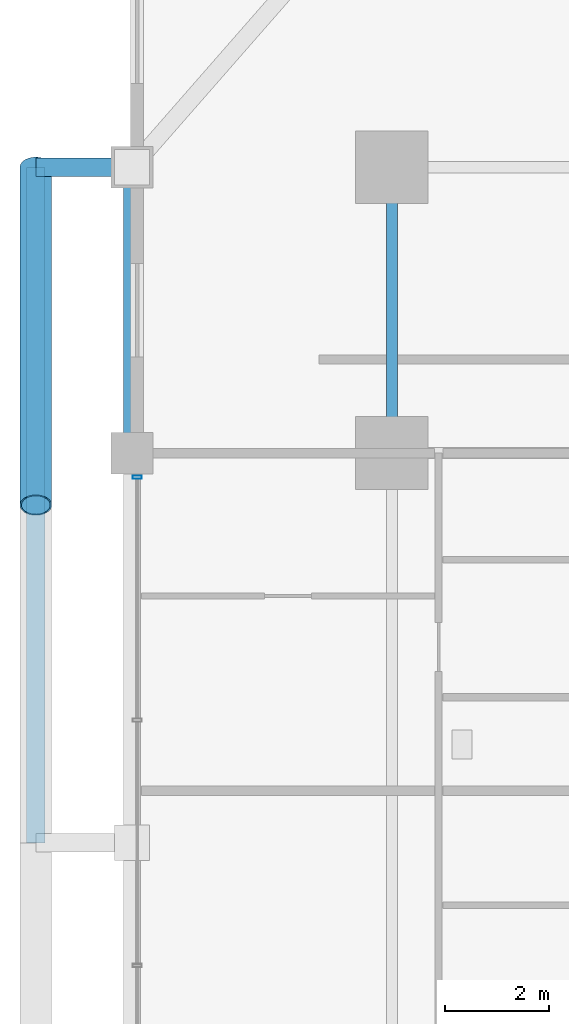
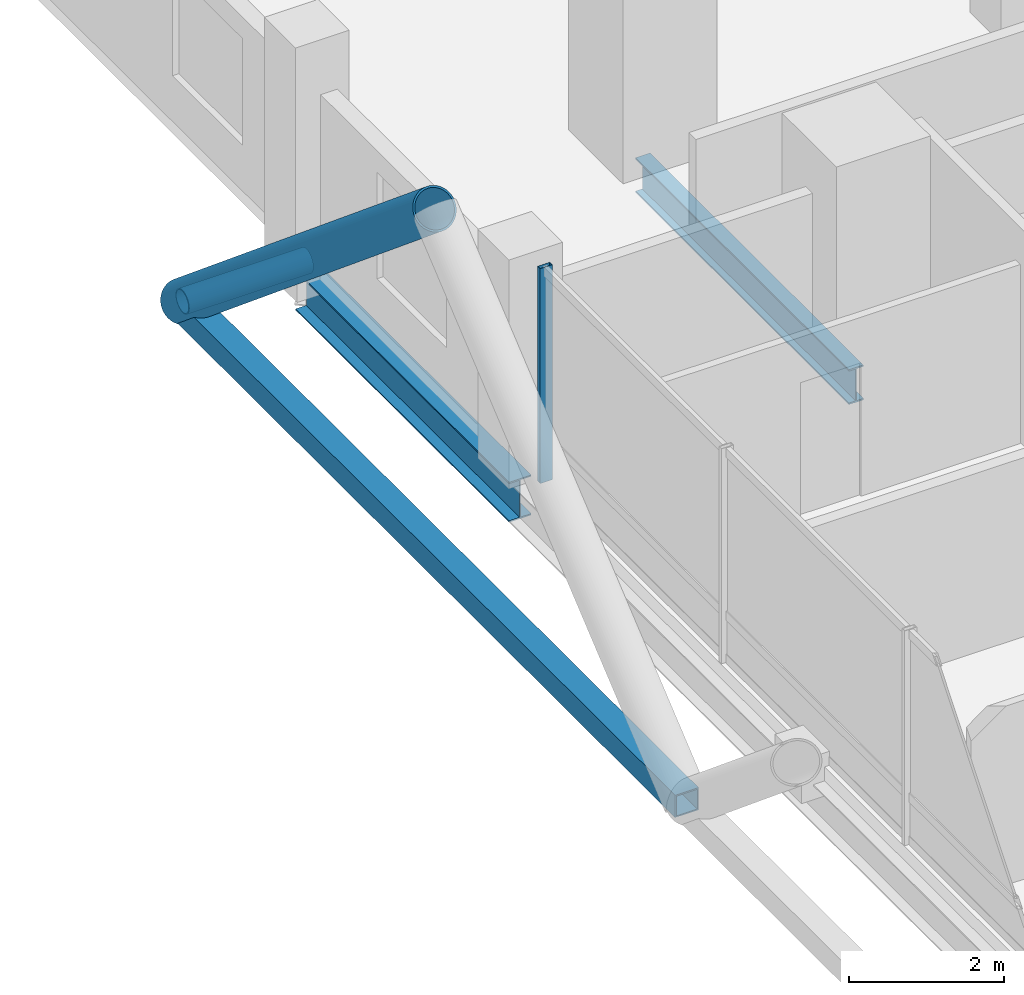
# One storey, part 13 of 27: 4 members, 2 beams, 1 element without a shape of its own.
"""IFC4 building model written with IfcOpenShell, lengths in metres."""

from ifc_helpers import new_model, si_unit, direction, frame, origin, origin_2d, place, context, subcontext, project, spatial, hollow_rectangle, hollow_circle, i_section, extrude, material, layer, layer_set, material_profile, profile_set, type_object, element, aggregate, save


model = new_model("IFC4")

# Units and contexts
model_context = context("Model", 3, precision=1e-05, world=origin(), true_north=direction((0.0, 1.0)))
body_context = subcontext(model_context, "Body", "Model", "MODEL_VIEW")
ifc_project = project(units=[si_unit("LENGTHUNIT", "METRE"), si_unit("AREAUNIT", "SQUARE_METRE"), si_unit("VOLUMEUNIT", "CUBIC_METRE"), si_unit("PLANEANGLEUNIT", "RADIAN"), si_unit("MASSUNIT", "GRAM", prefix="KILO")], contexts=[model_context])

# Site, building, storey
site_placement = place(None, origin())
site = spatial("IfcSite", under=ifc_project, at=site_placement, CompositionType="ELEMENT")
building_placement = place(site_placement, origin())
building = spatial("IfcBuilding", under=site, at=building_placement, Name="Barlavira Tower and Art Museum", CompositionType="ELEMENT")
storey_placement = place(building_placement, frame((0.0, 0.0, 50.39990234375)))
storey = spatial("IfcBuildingStorey", under=building, at=storey_placement, Name="L11", CompositionType="ELEMENT", Elevation=50.39990234375)

# Curtain wall, member
ifc_material_1 = material(Name="Low-iron coastal laminated glass", Category="glass")
ifc_layer = layer(ifc_material_1, 0.179931640625, Name="Low-iron coastal laminated glass")
ifc_layer_set = layer_set([ifc_layer], Name="Low-iron coastal laminated glass")
curtain_wall_type = type_object("IfcCurtainWallType", Name="Pale-Metal Unitised Curtain Wall Zone 1", PredefinedType="NOTDEFINED", material=ifc_layer_set)
curtain_wall_placement = place(storey_placement, origin())
curtain_wall = element("IfcCurtainWall", 1, at=curtain_wall_placement, inside=storey, type_object=curtain_wall_type, Name="L11 Curtain Wall CW1-L11-W-B3", PredefinedType="NOTDEFINED")
ifc_material_2 = material(Name="Pale anodised aluminium", Category="aluminium")
ifc_material_profile_1 = material_profile(ifc_material_2, hollow_rectangle(XDim=0.06494140625, YDim=0.179931640625, WallThickness=0.00390625, at=origin_2d()), Name="ALU-MULL 65x180x4")
ifc_profile_set_1 = profile_set([ifc_material_profile_1], Name="Pale anodised aluminium")
member_type_1 = type_object("IfcMemberType", Name="Curtain Wall Pale-Metal Mullion 65x180", PredefinedType="MULLION", material=ifc_profile_set_1)
member_1_placement = place(storey_placement, frame((-21.89990234375, 7.034912109375, 0.0), z_axis=(0.0, 0.0, 1.0), x_axis=(0.0, -1.0, 0.0)))
member_1 = element("IfcMember", 2, at=member_1_placement, type_object=member_type_1, Name="CW1-L11-W-B3 Mullion 0", PredefinedType="MULLION", context=body_context, shape_type="SweptSolid", body=[
    extrude(hollow_rectangle(XDim=0.06494140625, YDim=0.179931640625, WallThickness=0.00390625, at=origin_2d()), origin(), (0.0, 0.0, 1.0), 3.380126953125),
])
aggregate(curtain_wall, [member_1])

# Members
ifc_material_3 = material(Name="Steel S355", Category="steel")
ifc_material_profile_2 = material_profile(ifc_material_3, hollow_circle(Radius=0.304931640625, WallThickness=0.028076171875, at=origin_2d()), Name="CHS 610.0x28.0")
ifc_profile_set_2 = profile_set([ifc_material_profile_2], Name="Steel S355")
member_type_2 = type_object("IfcMemberType", Name="Pale-Metal Exoskeleton Diagrid Tube CHS 610x28 Steel S355", PredefinedType="BRACE", material=ifc_profile_set_2)
member_2_placement = place(storey_placement, frame((-23.85009765625, 13.0, -0.119873046875), z_axis=(0.0, -0.769196053329, 0.639012857104), x_axis=(1.0, 0.0, 0.0)))
element("IfcMember", 3, at=member_2_placement, inside=storey, type_object=member_type_2, Name="L11 Exoskeleton Diagrid Tube W", PredefinedType="BRACE", context=body_context, shape_type="SweptSolid", body=[
    extrude(hollow_circle(Radius=0.304931640625, WallThickness=0.028076171875, at=origin_2d()), origin(), (0.0, 0.0, 1.0), 8.450439453125),
])
ifc_material_profile_3 = material_profile(ifc_material_3, hollow_rectangle(XDim=0.35009765625, YDim=0.35009765625, WallThickness=0.02001953125, at=origin_2d()), Name="SHS 350x350x20.0")
ifc_profile_set_3 = profile_set([ifc_material_profile_3], Name="Steel S355")
member_type_3 = type_object("IfcMemberType", Name="Pale-Metal Exoskeleton Ring Strut SHS 350x350x20 Steel S355", PredefinedType="STRUT", material=ifc_profile_set_3)
member_3_placement = place(storey_placement, frame((-23.85009765625, 0.0, -0.119873046875), z_axis=(0.0, 1.0, 0.0), x_axis=(-1.0, 0.0, 0.0)))
element("IfcMember", 4, at=member_3_placement, inside=storey, type_object=member_type_3, Name="L11 Exoskeleton Ring Strut W", PredefinedType="STRUT", context=body_context, shape_type="SweptSolid", body=[
    extrude(hollow_rectangle(XDim=0.35009765625, YDim=0.35009765625, WallThickness=0.02001953125, at=origin_2d()), origin(), (0.0, 0.0, 1.0), 13.0),
])
ifc_material_profile_4 = material_profile(ifc_material_3, hollow_circle(Radius=0.177734375, WallThickness=0.01611328125, at=origin_2d()), Name="CHS 355.6x16.0")
ifc_profile_set_4 = profile_set([ifc_material_profile_4], Name="Steel S355")
member_type_4 = type_object("IfcMemberType", Name="Pale-Metal Exoskeleton Tie Strut CHS 356x16 Steel S355", PredefinedType="STRUT", material=ifc_profile_set_4)
member_4_placement = place(storey_placement, frame((-23.85009765625, 13.0, -0.119873046875), z_axis=(1.0, 0.0, 0.0), x_axis=(0.0, 1.0, 0.0)))
element("IfcMember", 5, at=member_4_placement, inside=storey, type_object=member_type_4, Name="L11 Exoskeleton Tie Strut W3", PredefinedType="STRUT", context=body_context, shape_type="SweptSolid", body=[
    extrude(hollow_circle(Radius=0.177734375, WallThickness=0.01611328125, at=origin_2d()), origin(), (0.0, 0.0, 1.0), 1.85009765625),
])

# Beams
ifc_material_profile_5 = material_profile(ifc_material_3, i_section(OverallWidth=0.327880859375, OverallDepth=0.62890625, WebThickness=0.013916015625, FlangeThickness=0.021484375, at=origin_2d()), Name="W610x174.0")
ifc_profile_set_5 = profile_set([ifc_material_profile_5], Name="Steel S355")
beam_type_1 = type_object("IfcBeamType", Name="Perimeter Spandrel Edge Beam W610x174 Steel S355", PredefinedType="SPANDREL", material=ifc_profile_set_5)
beam_1_placement = place(storey_placement, frame((-22.0, 7.5, -0.534423828125), z_axis=(0.0, 1.0, 0.0), x_axis=(-1.0, 0.0, 0.0)))
element("IfcBeam", 6, at=beam_1_placement, inside=storey, type_object=beam_type_1, Name="L11 Spandrel 13", PredefinedType="SPANDREL", context=body_context, shape_type="SweptSolid", body=[
    extrude(i_section(OverallWidth=0.327880859375, OverallDepth=0.62890625, WebThickness=0.013916015625, FlangeThickness=0.021484375, at=origin_2d()), origin(), (0.0, 0.0, 1.0), 5.5),
])
ifc_material_profile_6 = material_profile(ifc_material_3, i_section(OverallWidth=0.214111328125, OverallDepth=0.549072265625, WebThickness=0.0146484375, FlangeThickness=0.023681640625, at=origin_2d()), Name="W530x138.0")
ifc_profile_set_6 = profile_set([ifc_material_profile_6], Name="Steel S355")
beam_type_2 = type_object("IfcBeamType", Name="Zone 1 Primary Floor Girder W530x138 Steel S355", PredefinedType="BEAM", material=ifc_profile_set_6)
beam_2_placement = place(storey_placement, frame((-17.0, 7.5, -0.494384765625), z_axis=(0.0, 1.0, 0.0), x_axis=(-1.0, 0.0, 0.0)))
element("IfcBeam", 7, at=beam_2_placement, inside=storey, type_object=beam_type_2, Name="L11 Girder M-W3", PredefinedType="BEAM", context=body_context, shape_type="SweptSolid", body=[
    extrude(i_section(OverallWidth=0.214111328125, OverallDepth=0.549072265625, WebThickness=0.0146484375, FlangeThickness=0.023681640625, at=origin_2d()), origin(), (0.0, 0.0, 1.0), 5.5),
])

save(model, "model.ifc")
